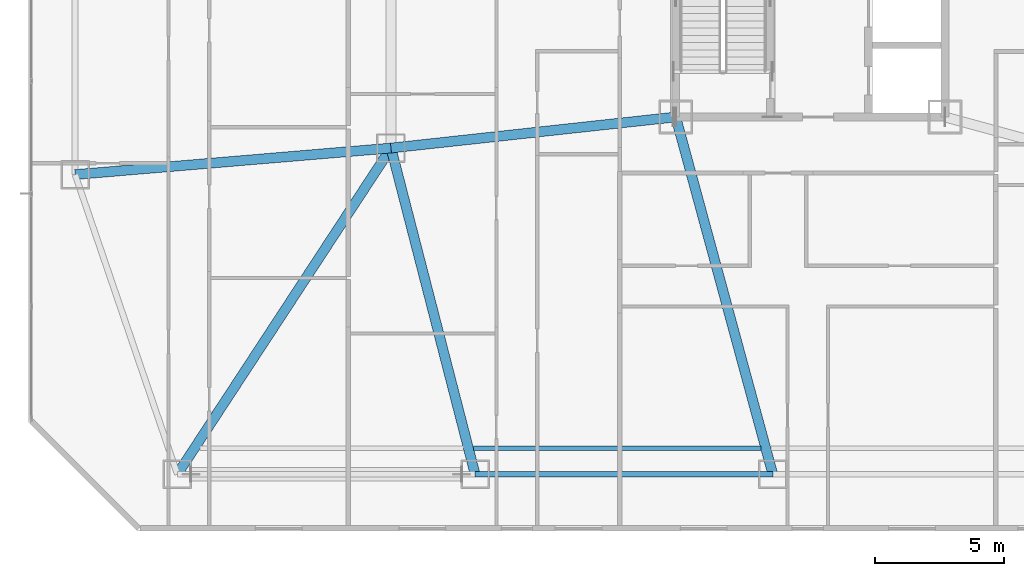
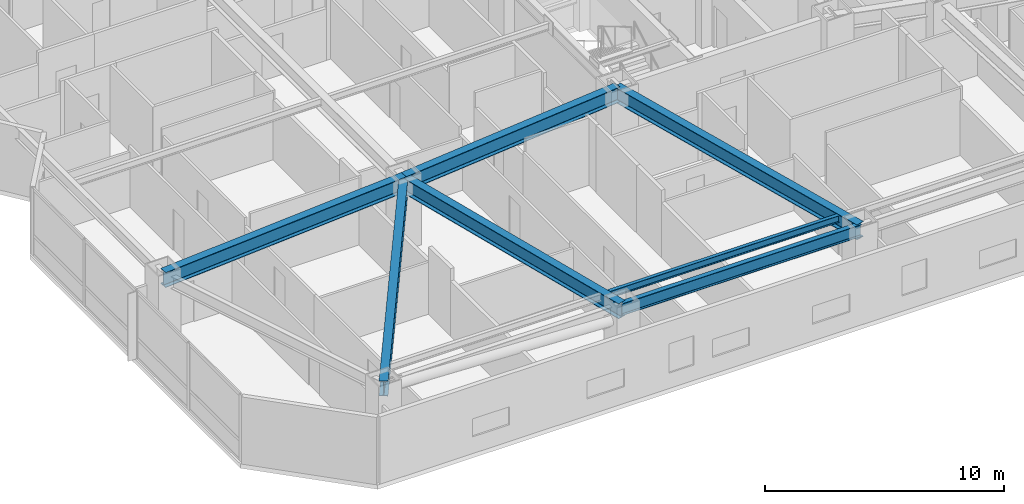
# One storey, part 5 of 18: 7 beams.
"""IFC4 building model written with IfcOpenShell, lengths in metres."""

from ifc_helpers import new_model, si_unit, direction, frame, origin, origin_2d, place, context, subcontext, project, spatial, i_section, extrude, material, material_profile, profile_set, type_object, element, save


model = new_model("IFC4")

# Units and contexts
model_context = context("Model", 3, precision=1e-05, world=origin(), true_north=direction((0.0, 1.0)))
body_context = subcontext(model_context, "Body", "Model", "MODEL_VIEW")
ifc_project = project(units=[si_unit("LENGTHUNIT", "METRE"), si_unit("AREAUNIT", "SQUARE_METRE"), si_unit("VOLUMEUNIT", "CUBIC_METRE"), si_unit("PLANEANGLEUNIT", "RADIAN"), si_unit("MASSUNIT", "GRAM", prefix="KILO")], contexts=[model_context])

# Site, building, storey
site_placement = place(None, origin())
site = spatial("IfcSite", under=ifc_project, at=site_placement, CompositionType="ELEMENT")
building_placement = place(site_placement, origin())
building = spatial("IfcBuilding", under=site, at=building_placement, Name="Khamvora Tower", CompositionType="ELEMENT")
storey_placement = place(building_placement, frame((0.0, 0.0, 47.89990234375)))
storey = spatial("IfcBuildingStorey", under=building, at=storey_placement, Name="L11", CompositionType="ELEMENT", Elevation=47.89990234375)

# Beams
ifc_material = material(Name="Steel S355", Category="steel")
ifc_material_profile_1 = material_profile(ifc_material, i_section(OverallWidth=0.1708984375, OverallDepth=0.35498046875, WebThickness=0.007080078125, FlangeThickness=0.011962890625, FilletRadius=0.010009765625, at=origin_2d()), Name="W360x51")
ifc_profile_set_1 = profile_set([ifc_material_profile_1], Name="Steel S355")
beam_type_1 = type_object("IfcBeamType", Name="BM-JS-W360x51", PredefinedType="JOIST", material=ifc_profile_set_1)
beam_1_placement = place(storey_placement, frame((21.18408203125, 6.199951171875, 3.252197265625), z_axis=(1.0, 0.0, 0.0), x_axis=(0.0, 1.0, 0.0)))
element("IfcBeam", 1, at=beam_1_placement, inside=storey, type_object=beam_type_1, Name="L11 secondary floor joist 02", PredefinedType="JOIST", context=body_context, shape_type="SweptSolid", body=[
    extrude(i_section(OverallWidth=0.1708984375, OverallDepth=0.35498046875, WebThickness=0.007080078125, FlangeThickness=0.011962890625, FilletRadius=0.010009765625, at=origin_2d()), origin(), (0.0, 0.0, 1.0), 11.101806640625),
])
ifc_material_profile_2 = material_profile(ifc_material, i_section(OverallWidth=0.381103515625, OverallDepth=0.77294921875, WebThickness=0.01708984375, FlangeThickness=0.027099609375, FilletRadius=0.01806640625, at=origin_2d()), Name="W760x257")
ifc_profile_set_2 = profile_set([ifc_material_profile_2], Name="Steel S355")
beam_type_2 = type_object("IfcBeamType", Name="BM-PG-W760x257", PredefinedType="BEAM", material=ifc_profile_set_2)
beam_2_placement = place(storey_placement, frame((18.0, 17.800048828125, 3.044189453125), z_axis=(-0.547782969742, -0.836620474325, 0.0), x_axis=(0.836620474325, -0.547782969742, 0.0)))
element("IfcBeam", 2, at=beam_2_placement, inside=storey, type_object=beam_type_2, Name="L11 primary floor girder S1", PredefinedType="BEAM", context=body_context, shape_type="SweptSolid", body=[
    extrude(i_section(OverallWidth=0.381103515625, OverallDepth=0.77294921875, WebThickness=0.01708984375, FlangeThickness=0.027099609375, FilletRadius=0.01806640625, at=origin_2d()), origin(), (0.0, 0.0, 1.0), 15.060791015625),
])
beam_3_placement = place(storey_placement, frame((18.0, 17.800048828125, 3.044189453125), z_axis=(0.249759990341, -0.968307775051, 0.0), x_axis=(0.968307775051, 0.249759990341, 0.0)))
element("IfcBeam", 3, at=beam_3_placement, inside=storey, type_object=beam_type_2, Name="L11 primary floor girder S2", PredefinedType="BEAM", context=body_context, shape_type="SweptSolid", body=[
    extrude(i_section(OverallWidth=0.381103515625, OverallDepth=0.77294921875, WebThickness=0.01708984375, FlangeThickness=0.027099609375, FilletRadius=0.01806640625, at=origin_2d()), origin(), (0.0, 0.0, 1.0), 13.012451171875),
])
beam_4_placement = place(storey_placement, frame((29.0, 19.0, 3.044189453125), z_axis=(0.262228883577, -0.965005706003, 0.0), x_axis=(0.965005706003, 0.262228883577, 0.0)))
element("IfcBeam", 4, at=beam_4_placement, inside=storey, type_object=beam_type_2, Name="L11 primary floor girder S3", PredefinedType="BEAM", context=body_context, shape_type="SweptSolid", body=[
    extrude(i_section(OverallWidth=0.381103515625, OverallDepth=0.77294921875, WebThickness=0.01708984375, FlangeThickness=0.027099609375, FilletRadius=0.01806640625, at=origin_2d()), origin(), (0.0, 0.0, 1.0), 14.300537109375),
])
beam_5_placement = place(storey_placement, frame((18.0, 17.800048828125, 3.044189453125), z_axis=(-0.996488172114, -0.083733642207, 0.0), x_axis=(0.083733642207, -0.996488172114, 0.0)))
element("IfcBeam", 5, at=beam_5_placement, inside=storey, type_object=beam_type_2, Name="L11 primary floor girder W1", PredefinedType="BEAM", context=body_context, shape_type="SweptSolid", body=[
    extrude(i_section(OverallWidth=0.381103515625, OverallDepth=0.77294921875, WebThickness=0.01708984375, FlangeThickness=0.027099609375, FilletRadius=0.01806640625, at=origin_2d()), origin(), (0.0, 0.0, 1.0), 12.242919921875),
])
beam_6_placement = place(storey_placement, frame((29.0, 19.0, 3.044189453125), z_axis=(-0.994102652327, -0.108443149329, 0.0), x_axis=(0.108443149329, -0.994102652327, 0.0)))
element("IfcBeam", 6, at=beam_6_placement, inside=storey, type_object=beam_type_2, Name="L11 primary floor girder MW1", PredefinedType="BEAM", context=body_context, shape_type="SweptSolid", body=[
    extrude(i_section(OverallWidth=0.381103515625, OverallDepth=0.77294921875, WebThickness=0.01708984375, FlangeThickness=0.027099609375, FilletRadius=0.01806640625, at=origin_2d()), origin(), (0.0, 0.0, 1.0), 11.065185546875),
])
ifc_material_profile_3 = material_profile(ifc_material, i_section(OverallWidth=0.22998046875, OverallDepth=0.616943359375, WebThickness=0.012939453125, FlangeThickness=0.02197265625, FilletRadius=0.013916015625, at=origin_2d()), Name="W610x140")
ifc_profile_set_3 = profile_set([ifc_material_profile_3], Name="Steel S355")
beam_type_3 = type_object("IfcBeamType", Name="BM-SP-W610x140", PredefinedType="SPANDREL", material=ifc_profile_set_3)
beam_7_placement = place(storey_placement, frame((21.25, 5.199951171875, 3.12109375), z_axis=(1.0, 0.0, 0.0), x_axis=(0.0, 1.0, 0.0)))
element("IfcBeam", 7, at=beam_7_placement, inside=storey, type_object=beam_type_3, Name="L11 perimeter spandrel beam S2-S3", PredefinedType="SPANDREL", context=body_context, shape_type="SweptSolid", body=[
    extrude(i_section(OverallWidth=0.22998046875, OverallDepth=0.616943359375, WebThickness=0.012939453125, FlangeThickness=0.02197265625, FilletRadius=0.013916015625, at=origin_2d()), origin(), (0.0, 0.0, 1.0), 11.5),
])

save(model, "model.ifc")
